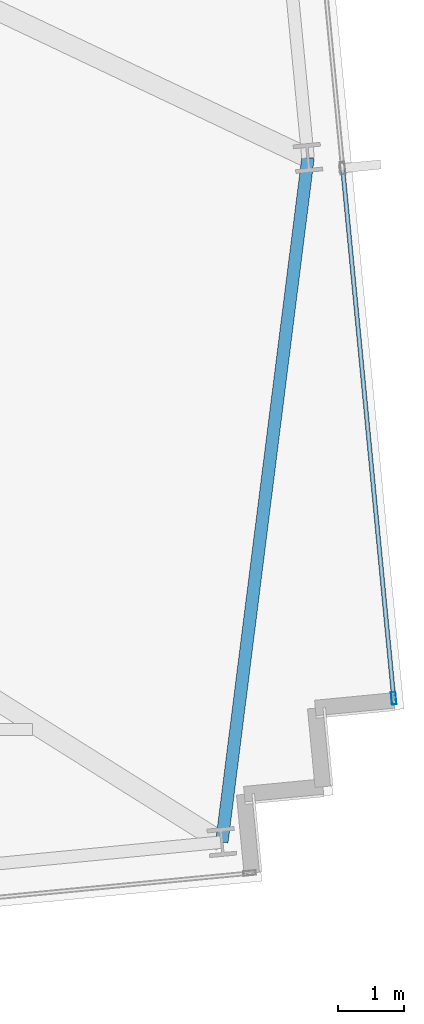
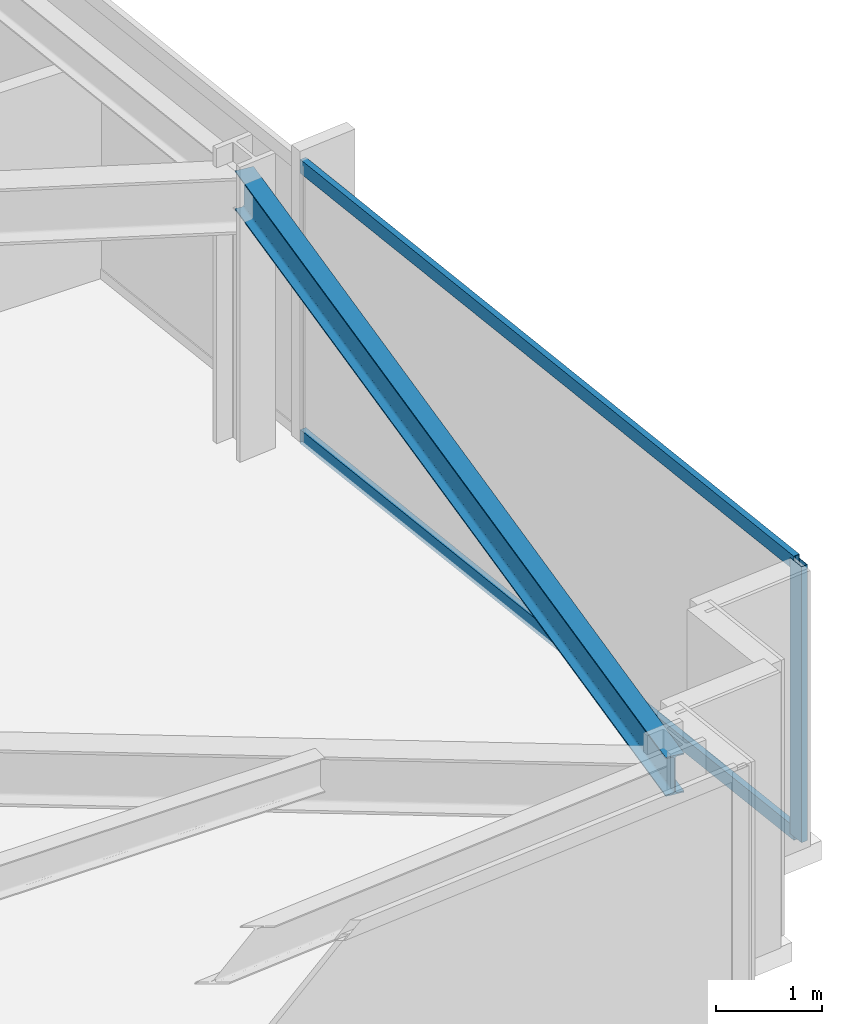
# One storey, part 14 of 32: 3 members, 1 beam, 1 element without a shape of its own.
"""IFC4 building model written with IfcOpenShell, lengths in metres."""

from ifc_helpers import new_model, si_unit, direction, frame, origin, origin_2d, place, context, subcontext, project, spatial, hollow_rectangle, i_section, extrude, material, material_profile, profile_set, type_object, element, aggregate, save


model = new_model("IFC4")

# Units and contexts
model_context = context("Model", 3, precision=1e-05, world=origin(), true_north=direction((0.0, 1.0)))
body_context = subcontext(model_context, "Body", "Model", "MODEL_VIEW")
ifc_project = project(units=[si_unit("LENGTHUNIT", "METRE"), si_unit("AREAUNIT", "SQUARE_METRE"), si_unit("VOLUMEUNIT", "CUBIC_METRE"), si_unit("PLANEANGLEUNIT", "RADIAN"), si_unit("MASSUNIT", "GRAM", prefix="KILO")], contexts=[model_context])

# Site, building, storey
site_placement = place(None, origin())
site = spatial("IfcSite", under=ifc_project, at=site_placement, CompositionType="ELEMENT")
building_placement = place(site_placement, origin())
building = spatial("IfcBuilding", under=site, at=building_placement, Name="Yelkora Congress Tower", CompositionType="ELEMENT")
storey_placement = place(building_placement, frame((0.0, 0.0, 130.5)))
storey = spatial("IfcBuildingStorey", under=building, at=storey_placement, Name="L35", CompositionType="ELEMENT", Elevation=130.5)

# Beam
ifc_material_1 = material(Name="Steel S355J2", Category="steel")
ifc_material_profile_1 = material_profile(ifc_material_1, i_section(OverallWidth=0.18994140625, OverallDepth=0.449951171875, WebThickness=0.009521484375, FlangeThickness=0.0146484375, FilletRadius=0.02099609375, at=origin_2d()), Name="IPE 450")
ifc_profile_set_1 = profile_set([ifc_material_profile_1], Name="Steel S355J2")
beam_type = type_object("IfcBeamType", Name="BM-SPAN-IPE450", PredefinedType="SPANDREL", material=ifc_profile_set_1)
beam_placement = place(storey_placement, frame((74.73193359375, 14.43505859375, 2.955078125), z_axis=(0.124929198684, 0.99216565921, 0.0), x_axis=(-0.99216565921, 0.124929198684, 0.0)))
element("IfcBeam", 1, at=beam_placement, inside=storey, type_object=beam_type, Name="L35 Perimeter Beam 10", PredefinedType="SPANDREL", context=body_context, shape_type="SweptSolid", body=[
    extrude(i_section(OverallWidth=0.18994140625, OverallDepth=0.449951171875, WebThickness=0.009521484375, FlangeThickness=0.0146484375, FilletRadius=0.02099609375, at=origin_2d()), origin(), (0.0, 0.0, 1.0), 10.48046875),
])

# Curtain wall, members
ifc_material_2 = material(Name="Anodised aluminium and insulated glass", Category="aluminium")
curtain_wall_type = type_object("IfcCurtainWallType", Name="CW-SYS-B2", PredefinedType="NOTDEFINED", material=ifc_material_2)
curtain_wall_placement = place(storey_placement, origin())
curtain_wall = element("IfcCurtainWall", 2, at=curtain_wall_placement, inside=storey, type_object=curtain_wall_type, Name="L35 Unitised Curtain Wall 15", PredefinedType="NOTDEFINED")
ifc_material_3 = material(Name="Anodised aluminium 6063-T6", Category="aluminium")
ifc_material_profile_2 = material_profile(ifc_material_3, hollow_rectangle(XDim=0.070068359375, YDim=0.18994140625, WallThickness=0.00390625, at=origin_2d()), Name="ALU 70x190x4")
ifc_profile_set_2 = profile_set([ifc_material_profile_2], Name="Anodised aluminium 6063-T6")
member_type_1 = type_object("IfcMemberType", Name="MEM-ML-B2", PredefinedType="MULLION", material=ifc_profile_set_2)
member_1_placement = place(storey_placement, frame((77.34423828125, 16.62060546875, 0.0), z_axis=(0.0, 0.0, 1.0), x_axis=(0.995396507508, 0.095842541913, 0.0)))
member_1 = element("IfcMember", 3, at=member_1_placement, type_object=member_type_1, Name="CW-B2 mullion 5", PredefinedType="MULLION", context=body_context, shape_type="SweptSolid", body=[
    extrude(hollow_rectangle(XDim=0.070068359375, YDim=0.18994140625, WallThickness=0.00390625, at=origin_2d()), origin(), (0.0, 0.0, 1.0), 3.179931640625),
])
ifc_material_profile_3 = material_profile(ifc_material_3, hollow_rectangle(XDim=0.06494140625, YDim=0.159912109375, WallThickness=0.00390625, at=origin_2d()), Name="ALU 65x160x4")
ifc_profile_set_3 = profile_set([ifc_material_profile_3], Name="Anodised aluminium 6063-T6")
member_type_2 = type_object("IfcMemberType", Name="MEM-TR-B2", PredefinedType="USERDEFINED", material=ifc_profile_set_3)
member_2_placement = place(storey_placement, frame((76.57177734375, 24.6435546875, 0.032470703125), z_axis=(0.095858482834, -0.995394972495, 0.0), x_axis=(0.995394972495, 0.095858482834, 0.0)))
member_2 = element("IfcMember", 4, at=member_2_placement, type_object=member_type_2, Name="CW-B2 transom 4.1", ObjectType="TRANSOM", PredefinedType="USERDEFINED", context=body_context, shape_type="SweptSolid", body=[
    extrude(hollow_rectangle(XDim=0.06494140625, YDim=0.159912109375, WallThickness=0.00390625, at=origin_2d()), origin(), (0.0, 0.0, 1.0), 8.025146484375),
])
member_3_placement = place(storey_placement, frame((76.57177734375, 24.6435546875, 3.1474609375), z_axis=(0.095858482834, -0.995394972495, 0.0), x_axis=(0.995394972495, 0.095858482834, 0.0)))
member_3 = element("IfcMember", 5, at=member_3_placement, type_object=member_type_2, Name="CW-B2 transom 4.2", ObjectType="TRANSOM", PredefinedType="USERDEFINED", context=body_context, shape_type="SweptSolid", body=[
    extrude(hollow_rectangle(XDim=0.06494140625, YDim=0.159912109375, WallThickness=0.00390625, at=origin_2d()), origin(), (0.0, 0.0, 1.0), 8.025146484375),
])
aggregate(curtain_wall, [member_1, member_2, member_3])

save(model, "model.ifc")
